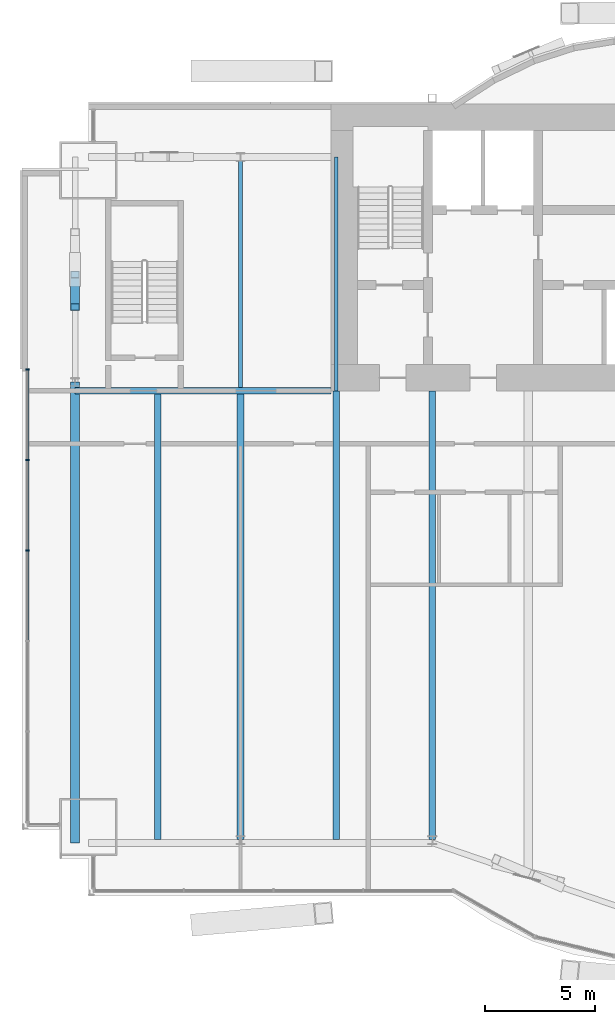
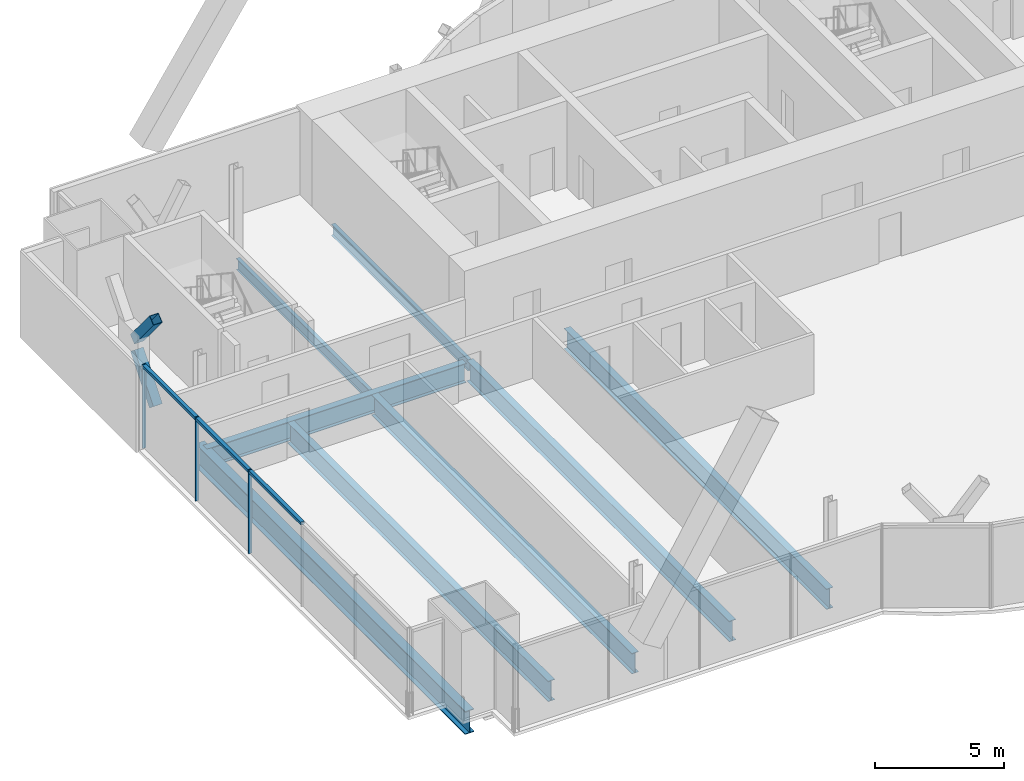
# One storey, part 7 of 22: 8 beams, 8 members, 1 element without a shape of its own.
"""IFC4 building model written with IfcOpenShell, lengths in metres."""

from ifc_helpers import new_model, si_unit, direction, frame, origin, origin_2d, place, context, subcontext, project, spatial, rectangle, hollow_rectangle, i_section, extrude, material, material_profile, profile_set, type_object, element, aggregate, save


model = new_model("IFC4")

# Units and contexts
model_context = context("Model", 3, precision=1e-05, world=origin(), true_north=direction((0.0, 1.0)))
body_context = subcontext(model_context, "Body", "Model", "MODEL_VIEW")
ifc_project = project(units=[si_unit("LENGTHUNIT", "METRE"), si_unit("AREAUNIT", "SQUARE_METRE"), si_unit("VOLUMEUNIT", "CUBIC_METRE"), si_unit("PLANEANGLEUNIT", "RADIAN"), si_unit("MASSUNIT", "GRAM", prefix="KILO")], contexts=[model_context])

# Site, building, storey
site_placement = place(None, origin())
site = spatial("IfcSite", under=ifc_project, at=site_placement, CompositionType="ELEMENT")
building_placement = place(site_placement, origin())
building = spatial("IfcBuilding", under=site, at=building_placement, Name="Bicima Exchange Tower", CompositionType="ELEMENT")
storey_placement = place(building_placement, frame((0.0, 0.0, 144.5)))
storey = spatial("IfcBuildingStorey", under=building, at=storey_placement, Name="L31", CompositionType="ELEMENT", Elevation=144.5)

# Beam
ifc_material_1 = material(Name="Steel ASTM A992 Gr 50", Category="steel")
ifc_material_profile_1 = material_profile(ifc_material_1, i_section(OverallWidth=0.3046875, OverallDepth=0.911865234375, WebThickness=0.015869140625, FlangeThickness=0.02392578125, at=origin_2d()))
ifc_profile_set_1 = profile_set([ifc_material_profile_1], Name="Steel ASTM A992 Gr 50")
beam_type_1 = type_object("IfcBeamType", Name="Core-line girder W36x150", PredefinedType="BEAM", material=ifc_profile_set_1)
beam_1_placement = place(storey_placement, frame((-22.0, -13.0, -0.60595703125), z_axis=(-1.0, 0.0, 0.0), x_axis=(0.0, -1.0, 0.0)))
element("IfcBeam", 1, at=beam_1_placement, inside=storey, type_object=beam_type_1, Name="Core-line girder", PredefinedType="BEAM", context=body_context, shape_type="SweptSolid", body=[
    extrude(i_section(OverallWidth=0.3046875, OverallDepth=0.911865234375, WebThickness=0.015869140625, FlangeThickness=0.02392578125, at=origin_2d()), origin(), (0.0, 0.0, 1.0), 11.60009765625),
])

# Curtain wall, members
ifc_material_2 = material(Name="Anodised bronze aluminium", Category="aluminium")
curtain_wall_type = type_object("IfcCurtainWallType", Name="End face glass wall", PredefinedType="NOTDEFINED", material=ifc_material_2)
curtain_wall_placement = place(storey_placement, origin())
curtain_wall = element("IfcCurtainWall", 2, at=curtain_wall_placement, inside=storey, type_object=curtain_wall_type, Name="End face glass wall L31 run 2", PredefinedType="NOTDEFINED")
ifc_material_profile_2 = material_profile(ifc_material_2, rectangle(XDim=0.159912109375, YDim=0.06005859375, at=origin_2d()))
ifc_profile_set_2 = profile_set([ifc_material_profile_2], Name="Anodised bronze aluminium")
member_type_1 = type_object("IfcMemberType", Name="End face glass wall mullion 60 x 160", PredefinedType="MULLION", material=ifc_profile_set_2)
member_1_placement = place(storey_placement, frame((-35.77001953125, -12.030029296875, 0.0), z_axis=(0.0, 0.0, 1.0), x_axis=(1.0, 0.0, 0.0)))
member_1 = element("IfcMember", 3, at=member_1_placement, type_object=member_type_1, Name="End face glass wall mullion 1", PredefinedType="MULLION", context=body_context, shape_type="SweptSolid", body=[
    extrude(rectangle(XDim=0.159912109375, YDim=0.06005859375, at=origin_2d()), origin(), (0.0, 0.0, 1.0), 3.949951171875),
])
member_2_placement = place(storey_placement, frame((-35.77001953125, -16.135986328125, 0.0), z_axis=(0.0, 0.0, 1.0), x_axis=(1.0, 0.0, 0.0)))
member_2 = element("IfcMember", 4, at=member_2_placement, type_object=member_type_1, Name="End face glass wall mullion 2", PredefinedType="MULLION", context=body_context, shape_type="SweptSolid", body=[
    extrude(rectangle(XDim=0.159912109375, YDim=0.06005859375, at=origin_2d()), origin(), (0.0, 0.0, 1.0), 3.949951171875),
])
member_3_placement = place(storey_placement, frame((-35.77001953125, -20.241943359375, 0.0), z_axis=(0.0, 0.0, 1.0), x_axis=(1.0, 0.0, 0.0)))
member_3 = element("IfcMember", 5, at=member_3_placement, type_object=member_type_1, Name="End face glass wall mullion 3", PredefinedType="MULLION", context=body_context, shape_type="SweptSolid", body=[
    extrude(rectangle(XDim=0.159912109375, YDim=0.06005859375, at=origin_2d()), origin(), (0.0, 0.0, 1.0), 3.949951171875),
])
ifc_material_profile_3 = material_profile(ifc_material_2, rectangle(XDim=0.159912109375, YDim=0.139892578125, at=origin_2d()))
ifc_profile_set_3 = profile_set([ifc_material_profile_3], Name="Anodised bronze aluminium")
member_type_2 = type_object("IfcMemberType", Name="End face glass wall transom 140 x 160", PredefinedType="USERDEFINED", material=ifc_profile_set_3)
member_4_placement = place(storey_placement, frame((-35.77001953125, -12.06005859375, 3.8798828125), z_axis=(0.0, -1.0, 0.0), x_axis=(1.0, 0.0, 0.0)))
member_4 = element("IfcMember", 6, at=member_4_placement, type_object=member_type_2, Name="End face glass wall transom 1.1", ObjectType="TRANSOM", PredefinedType="USERDEFINED", context=body_context, shape_type="SweptSolid", body=[
    extrude(rectangle(XDim=0.159912109375, YDim=0.139892578125, at=origin_2d()), origin(), (0.0, 0.0, 1.0), 4.0458984375),
])
member_5_placement = place(storey_placement, frame((-35.77001953125, -16.166015625, 3.8798828125), z_axis=(0.0, -1.0, 0.0), x_axis=(1.0, 0.0, 0.0)))
member_5 = element("IfcMember", 7, at=member_5_placement, type_object=member_type_2, Name="End face glass wall transom 2.1", ObjectType="TRANSOM", PredefinedType="USERDEFINED", context=body_context, shape_type="SweptSolid", body=[
    extrude(rectangle(XDim=0.159912109375, YDim=0.139892578125, at=origin_2d()), origin(), (0.0, 0.0, 1.0), 4.0458984375),
])
member_6_placement = place(storey_placement, frame((-35.77001953125, -20.27197265625, 3.8798828125), z_axis=(0.0, -1.0, 0.0), x_axis=(1.0, 0.0, 0.0)))
member_6 = element("IfcMember", 8, at=member_6_placement, type_object=member_type_2, Name="End face glass wall transom 3.1", ObjectType="TRANSOM", PredefinedType="USERDEFINED", context=body_context, shape_type="SweptSolid", body=[
    extrude(rectangle(XDim=0.159912109375, YDim=0.139892578125, at=origin_2d()), origin(), (0.0, 0.0, 1.0), 4.046142578125),
])
aggregate(curtain_wall, [member_1, member_2, member_3, member_4, member_5, member_6])

# Beams
ifc_material_profile_4 = material_profile(ifc_material_1, i_section(OverallWidth=0.4013671875, OverallDepth=1.089599609375, WebThickness=0.01806640625, FlangeThickness=0.031005859375, at=origin_2d()))
ifc_profile_set_4 = profile_set([ifc_material_profile_4], Name="Steel ASTM A992 Gr 50")
beam_type_2 = type_object("IfcBeamType", Name="End girder W44x230", PredefinedType="BEAM", material=ifc_profile_set_4)
beam_2_placement = place(storey_placement, frame((-33.60009765625, -12.60009765625, -0.69482421875), z_axis=(0.0, -1.0, 0.0), x_axis=(1.0, 0.0, 0.0)))
element("IfcBeam", 9, at=beam_2_placement, inside=storey, type_object=beam_type_2, Name="End girder", PredefinedType="BEAM", context=body_context, shape_type="SweptSolid", body=[
    extrude(i_section(OverallWidth=0.4013671875, OverallDepth=1.089599609375, WebThickness=0.01806640625, FlangeThickness=0.031005859375, at=origin_2d()), origin(), (0.0, 0.0, 1.0), 20.89990234375),
])
ifc_material_profile_5 = material_profile(ifc_material_1, i_section(OverallWidth=0.165771484375, OverallDepth=0.5283203125, WebThickness=0.009765625, FlangeThickness=0.013671875, at=origin_2d()))
ifc_profile_set_5 = profile_set([ifc_material_profile_5], Name="Steel ASTM A992 Gr 50")
beam_type_3 = type_object("IfcBeamType", Name="Floor beam W21x50", PredefinedType="JOIST", material=ifc_profile_set_5)
beam_3_placement = place(storey_placement, frame((-26.10009765625, -2.5625, -0.414306640625), z_axis=(0.0, -1.0, 0.0), x_axis=(1.0, 0.0, 0.0)))
element("IfcBeam", 10, at=beam_3_placement, inside=storey, type_object=beam_type_3, Name="Floor beam", PredefinedType="JOIST", context=body_context, shape_type="SweptSolid", body=[
    extrude(i_section(OverallWidth=0.165771484375, OverallDepth=0.5283203125, WebThickness=0.009765625, FlangeThickness=0.013671875, at=origin_2d()), origin(), (0.0, 0.0, 1.0), 10.28515625),
])
beam_4_placement = place(storey_placement, frame((-21.75, -2.39990234375, -0.414306640625), z_axis=(0.0, -1.0, 0.0), x_axis=(1.0, 0.0, 0.0)))
element("IfcBeam", 11, at=beam_4_placement, inside=storey, type_object=beam_type_3, Name="Floor beam", PredefinedType="JOIST", context=body_context, shape_type="SweptSolid", body=[
    extrude(i_section(OverallWidth=0.165771484375, OverallDepth=0.5283203125, WebThickness=0.009765625, FlangeThickness=0.013671875, at=origin_2d()), origin(), (0.0, 0.0, 1.0), 10.60009765625),
])
ifc_material_profile_6 = material_profile(ifc_material_1, i_section(OverallWidth=0.2998046875, OverallDepth=0.97021484375, WebThickness=0.01611328125, FlangeThickness=0.02099609375, at=origin_2d()))
ifc_profile_set_6 = profile_set([ifc_material_profile_6], Name="Steel ASTM A992 Gr 50")
beam_type_4 = type_object("IfcBeamType", Name="Floor beam W40x149", PredefinedType="JOIST", material=ifc_profile_set_6)
for number, where, z_axis, x_axis, name in (
    (12, (-29.85009765625, -13.15234375, -0.635009765625), (0.0, -1.0, 0.0), (1.0, 0.0, 0.0), "Floor beam"),
    (13, (-26.10009765625, -13.15234375, -0.635009765625), (0.0, -1.0, 0.0), (1.0, 0.0, 0.0), "Floor beam"),
):
    element("IfcBeam", number, at=place(storey_placement, frame(where, z_axis=z_axis, x_axis=x_axis)), inside=storey, type_object=beam_type_4, Name=name, PredefinedType="JOIST", context=body_context, shape_type="SweptSolid", body=[
        extrude(i_section(OverallWidth=0.2998046875, OverallDepth=0.97021484375, WebThickness=0.01611328125, FlangeThickness=0.02099609375, at=origin_2d()), origin(), (0.0, 0.0, 1.0), 20.18505859375),
    ])
for number, where, z_axis, x_axis, name in (
    (14, (-21.75, -13.0, -0.635009765625), (0.0, -1.0, 0.0), (1.0, 0.0, 0.0), "Floor beam"),
    (15, (-17.39990234375, -13.0, -0.635009765625), (0.0, -1.0, 0.0), (1.0, 0.0, 0.0), "Floor beam"),
):
    element("IfcBeam", number, at=place(storey_placement, frame(where, z_axis=z_axis, x_axis=x_axis)), inside=storey, type_object=beam_type_4, Name=name, PredefinedType="JOIST", context=body_context, shape_type="SweptSolid", body=[
        extrude(i_section(OverallWidth=0.2998046875, OverallDepth=0.97021484375, WebThickness=0.01611328125, FlangeThickness=0.02099609375, at=origin_2d()), origin(), (0.0, 0.0, 1.0), 20.33740234375),
    ])

# Members
ifc_material_3 = material(Name="Steel ASTM A572 Gr 50", Category="steel")
ifc_material_profile_7 = material_profile(ifc_material_3, hollow_rectangle(XDim=0.406494140625, YDim=0.406494140625, WallThickness=0.017822265625, at=origin_2d()))
ifc_profile_set_7 = profile_set([ifc_material_profile_7], Name="Steel ASTM A572 Gr 50")
member_type_3 = type_object("IfcMemberType", Name="Mega brace HSS16x16x3/4", PredefinedType="BRACE", material=ifc_profile_set_7)
member_7_placement = place(storey_placement, frame((-33.60009765625, -7.722412109375, 1.8212890625), z_axis=(0.0, -0.63828404563, 0.76980093342), x_axis=(1.0, 0.0, 0.0)))
element("IfcMember", 16, at=member_7_placement, inside=storey, type_object=member_type_3, Name="Mega brace west end", PredefinedType="BRACE", context=body_context, shape_type="SweptSolid", body=[
    extrude(hollow_rectangle(XDim=0.406494140625, YDim=0.406494140625, WallThickness=0.017822265625, at=origin_2d()), origin(), (0.0, 0.0, 1.0), 2.31494140625),
])
member_8_placement = place(storey_placement, frame((-33.60009765625, -9.199951171875, -0.49658203125), z_axis=(0.0, 0.638335869595, 0.769757960393), x_axis=(-1.0, 0.0, 0.0)))
element("IfcMember", 17, at=member_8_placement, inside=storey, type_object=member_type_3, Name="Mega brace west end", PredefinedType="BRACE", context=body_context, shape_type="SweptSolid", body=[
    extrude(hollow_rectangle(XDim=0.406494140625, YDim=0.406494140625, WallThickness=0.017822265625, at=origin_2d()), origin(), (0.0, 0.0, 1.0), 2.314697265625),
])

save(model, "model.ifc")
